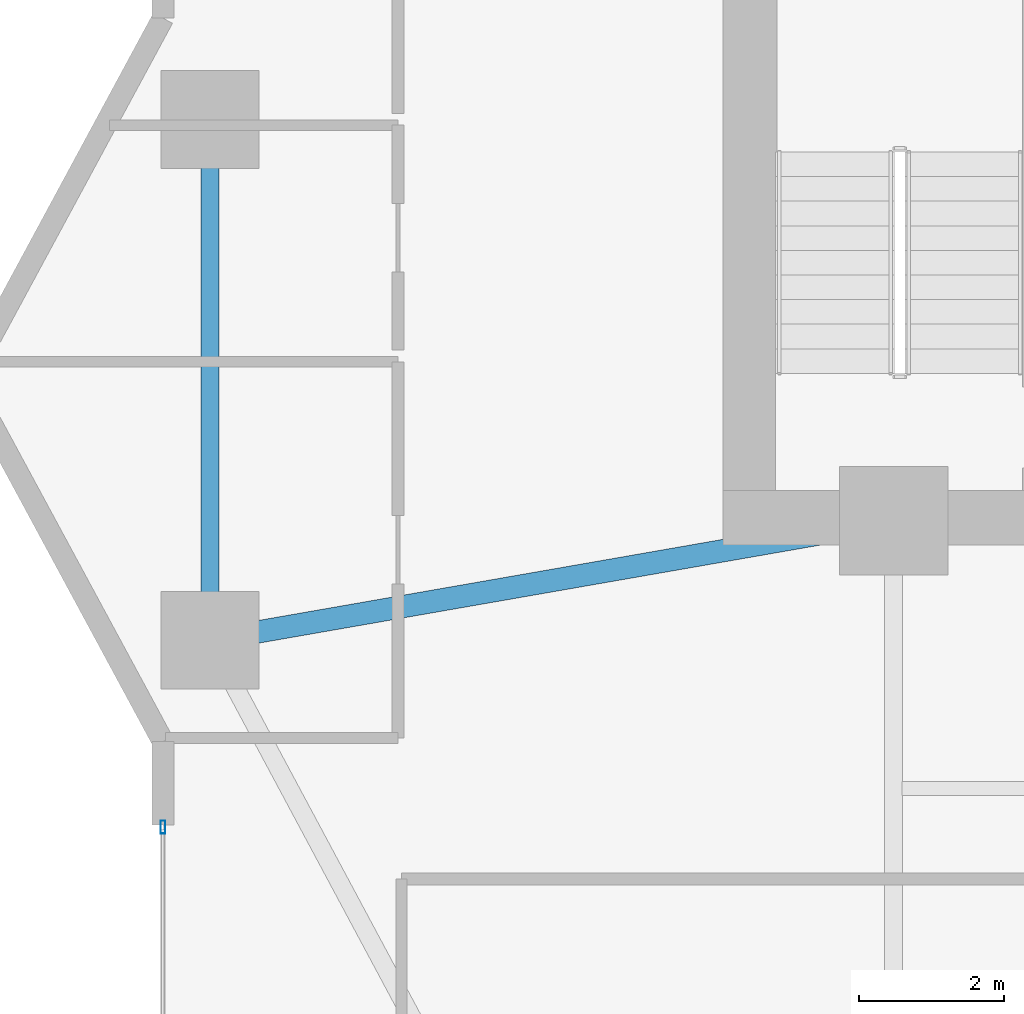
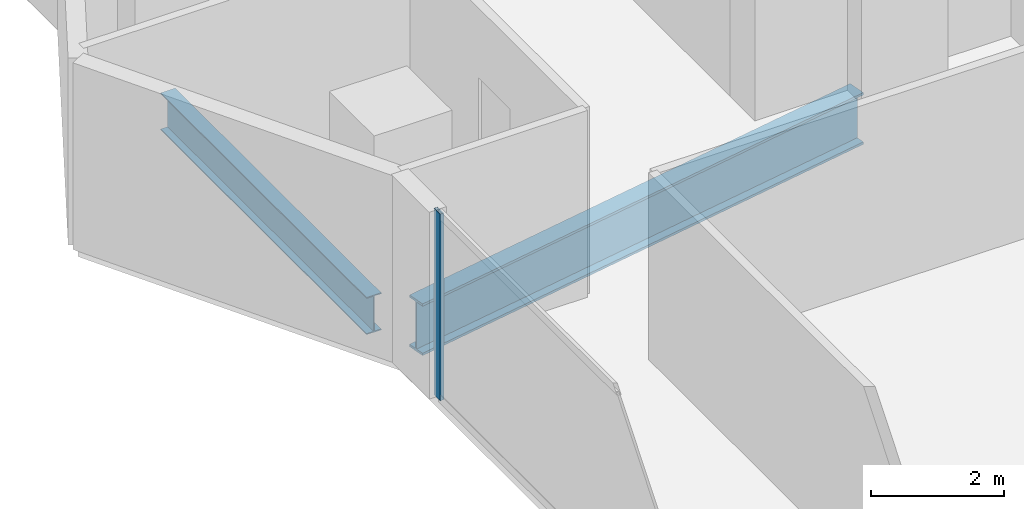
# One storey, part 7 of 28: 2 beams, 1 member, 1 element without a shape of its own.
"""IFC4 building model written with IfcOpenShell, lengths in metres."""

import ifcopenshell
import ifcopenshell.guid

model = None  # the IFC model being written
_history = None  # IfcOwnerHistory: only IFC2X3 demands one
_inside = {}  # id of a spatial element -> (the spatial element, [elements in it])
_under = {}  # id of a project, library or spatial element -> (it, [spatial elements below it])
_declared = {}  # id of a project -> (the project, [libraries it declares])
_typed = {}  # id of a type object -> (the type object, [elements of that type])
_made_of = {}  # id of a material, layer set ... -> (it, [elements and type objects made of it])


def new_model(schema):
    """Start an empty IFC model of exactly this schema.

    Asked for "IFC4X3", IfcOpenShell would pick the latest addendum, in which some entities
    have other attributes; the version numbers below select the first issue.
    IFC2X3 requires an IfcOwnerHistory on every rooted entity: one is made here for all.
    """
    global model, _history
    if schema == "IFC4X3":
        model = ifcopenshell.file(schema_version=(4, 3, 0, 0))
    else:
        model = ifcopenshell.file(schema=schema)
    _inside.clear()
    _under.clear()
    _declared.clear()
    _typed.clear()
    _made_of.clear()
    _history = None
    if model.schema == "IFC2X3":
        org = make("IfcOrganization", Name="unknown")
        user = make(
            "IfcPersonAndOrganization",
            ThePerson=make("IfcPerson", FamilyName="unknown"),
            TheOrganization=org,
        )
        app = make(
            "IfcApplication",
            ApplicationDeveloper=org,
            Version="unknown",
            ApplicationFullName="unknown",
            ApplicationIdentifier="unknown",
        )
        _history = make(
            "IfcOwnerHistory",
            OwningUser=user,
            OwningApplication=app,
            ChangeAction="ADDED",
            CreationDate=0,
        )
    return model


def make(cls, **values):
    """One entity of the class cls with the attributes given. An attribute that is None is left unset."""
    return model.create_entity(
        cls, **{name: value for name, value in values.items() if value is not None}
    )


def rooted(cls, **values):
    """An entity with a GlobalId (a new one), such as an element, a storey or a relation."""
    return make(cls, GlobalId=ifcopenshell.guid.new(), OwnerHistory=_history, **values)


def si_unit(unit_type, name, prefix=None):
    """IfcSIUnit, for example si_unit("LENGTHUNIT", "METRE", prefix="MILLI")."""
    return make("IfcSIUnit", UnitType=unit_type, Prefix=prefix, Name=name)


def assignment(units):
    """IfcUnitAssignment: the units of a project."""
    return None if units is None else make("IfcUnitAssignment", Units=units)


def point(xyz):
    """IfcCartesianPoint."""
    return None if xyz is None else make("IfcCartesianPoint", Coordinates=xyz)


def direction(xyz):
    """IfcDirection."""
    return None if xyz is None else make("IfcDirection", DirectionRatios=xyz)


def frame(location, z_axis=None, x_axis=None):
    """IfcAxis2Placement3D, a coordinate frame: its origin and axes. An axis left out is left unset."""
    return make(
        "IfcAxis2Placement3D",
        Location=point(location),
        Axis=direction(z_axis),
        RefDirection=direction(x_axis),
    )


def frame_2d(location, x_axis=None):
    """IfcAxis2Placement2D, a coordinate frame in the plane: its origin and x axis."""
    return make(
        "IfcAxis2Placement2D", Location=point(location), RefDirection=direction(x_axis)
    )


def origin():
    """The frame at (0, 0, 0) with its axes left unset."""
    return frame((0.0, 0.0, 0.0))


def origin_2d():
    """The frame at (0, 0) in the plane with its x axis left unset."""
    return frame_2d((0.0, 0.0))


def place(relative_to, where):
    """IfcLocalPlacement: puts the frame where relative to a parent placement (None: the world)."""
    return make(
        "IfcLocalPlacement", PlacementRelTo=relative_to, RelativePlacement=where
    )


def context(
    kind, dimensions, precision=None, world=None, true_north=None, identifier=None
):
    """IfcGeometricRepresentationContext, for example the 3D "Model" context."""
    return make(
        "IfcGeometricRepresentationContext",
        ContextIdentifier=identifier,
        ContextType=kind,
        CoordinateSpaceDimension=dimensions,
        Precision=precision,
        WorldCoordinateSystem=world,
        TrueNorth=true_north,
    )


def subcontext(parent, identifier, kind, view, scale=None):
    """IfcGeometricRepresentationSubContext, for example "Body" below "Model"."""
    return make(
        "IfcGeometricRepresentationSubContext",
        ContextIdentifier=identifier,
        ContextType=kind,
        ParentContext=parent,
        TargetScale=scale,
        TargetView=view,
    )


def project(units=None, contexts=None):
    """IfcProject with its units and contexts."""
    return rooted(
        "IfcProject",
        Name="project",
        RepresentationContexts=contexts,
        UnitsInContext=assignment(units),
    )


def spatial(cls, under=None, at=None, **own):
    """A site, building, storey or space (cls), placed at a placement, below another one or the project."""
    s = rooted(cls, ObjectPlacement=at, **own)
    if under is not None:
        _under.setdefault(under.id(), (under, []))[1].append(s)
    return s


def profile(cls, at=None, kind="AREA", **sizes):
    """A parametric profile (cls). Its sizes go by their IFC names, for example OverallWidth=200.0."""
    return make(cls, ProfileType=kind, Position=at, **sizes)


def hollow_rectangle(**sizes):
    """IfcRectangleHollowProfileDef."""
    return profile("IfcRectangleHollowProfileDef", **sizes)


def i_section(**sizes):
    """IfcIShapeProfileDef."""
    return profile("IfcIShapeProfileDef", **sizes)


def extrude(swept, where, along, depth):
    """IfcExtrudedAreaSolid: the profile swept, set in the frame where, extruded along a direction by depth."""
    return make(
        "IfcExtrudedAreaSolid",
        SweptArea=swept,
        Position=where,
        ExtrudedDirection=direction(along),
        Depth=depth,
    )


def shape(context_of_items, identifier, shape_type, items):
    """IfcShapeRepresentation: the items that make up one representation, for example the "Body"."""
    return make(
        "IfcShapeRepresentation",
        ContextOfItems=context_of_items,
        RepresentationIdentifier=identifier,
        RepresentationType=shape_type,
        Items=items,
    )


def material(Name=None, Category=None):
    """IfcMaterial."""
    return make("IfcMaterial", Name=Name, Category=Category)


def layer(
    of_material, thickness, ventilated=None, Name=None, Category=None, Priority=None
):
    """IfcMaterialLayer: one layer of a wall or slab, of a material (None: an air gap)."""
    return make(
        "IfcMaterialLayer",
        Material=of_material,
        LayerThickness=thickness,
        IsVentilated=ventilated,
        Name=Name,
        Category=Category,
        Priority=Priority,
    )


def layer_set(layers, Name=None):
    """IfcMaterialLayerSet."""
    return make("IfcMaterialLayerSet", MaterialLayers=layers, LayerSetName=Name)


def material_profile(
    of_material, cross_section, Name=None, Category=None, Priority=None
):
    """IfcMaterialProfile: a cross section and its material."""
    return make(
        "IfcMaterialProfile",
        Name=Name,
        Material=of_material,
        Profile=cross_section,
        Priority=Priority,
        Category=Category,
    )


def profile_set(profiles, Name=None, composite=None):
    """IfcMaterialProfileSet."""
    return make(
        "IfcMaterialProfileSet",
        Name=Name,
        MaterialProfiles=profiles,
        CompositeProfile=composite,
    )


def made_of(thing, what):
    """Note that an element or type object is made of a material, layer set ...; save() writes the relation."""
    if what is not None:
        _made_of.setdefault(what.id(), (what, []))[1].append(thing)
    return thing


def type_object(cls, material=None, **own):
    """A type object (cls), such as IfcWallType, which elements share."""
    return made_of(rooted(cls, **own), material)


def element(
    cls,
    number,
    at=None,
    inside=None,
    cuts=None,
    type_object=None,
    material=None,
    context=None,
    identifier="Body",
    shape_type=None,
    held_by="IfcProductDefinitionShape",
    body=None,
    shapes=None,
    **own,
):
    """One element of the class cls, such as IfcWall. Its Tag is "e" and its number.

    at: its placement. inside: the storey or other place that contains it. cuts: it is an
    opening in that element (IfcRelVoidsElement). A single representation is given by context,
    identifier, shape_type and body (its items); several are given by shapes. held_by: the class
    of the entity that holds the representations. save() writes the other relations.
    """
    e = rooted(cls, Tag="e%d" % number, ObjectPlacement=at, **own)
    if body is not None:
        shapes = [shape(context, identifier, shape_type, body)]
    if shapes is not None:
        e.Representation = make(held_by, Representations=shapes)
    if inside is not None:
        _inside.setdefault(inside.id(), (inside, []))[1].append(e)
    if cuts is not None:
        rooted(
            "IfcRelVoidsElement", RelatingBuildingElement=cuts, RelatedOpeningElement=e
        )
    if type_object is not None:
        _typed.setdefault(type_object.id(), (type_object, []))[1].append(e)
    return made_of(e, material)


def aggregate(whole, parts):
    """IfcRelAggregates: a whole, such as a stair, and the parts it consists of."""
    return rooted("IfcRelAggregates", RelatingObject=whole, RelatedObjects=parts)


def save(model, path):
    """Write the relations noted so far, then the file.

    IfcRelAggregates (storeys below a building ...), IfcRelContainedInSpatialStructure (elements
    in a storey), IfcRelDefinesByType, IfcRelAssociatesMaterial and IfcRelDeclares: one each for
    every whole, place, type object, material and project.
    """
    for whole, parts in _under.values():
        aggregate(whole, parts)
    for where, things in _inside.values():
        rooted(
            "IfcRelContainedInSpatialStructure",
            RelatedElements=things,
            RelatingStructure=where,
        )
    for kind, things in _typed.values():
        rooted("IfcRelDefinesByType", RelatedObjects=things, RelatingType=kind)
    for what, things in _made_of.values():
        rooted("IfcRelAssociatesMaterial", RelatedObjects=things, RelatingMaterial=what)
    for by, libraries in _declared.values():
        rooted("IfcRelDeclares", RelatingContext=by, RelatedDefinitions=libraries)
    model.write(path)


model = new_model("IFC4")

# Units and contexts
model_context = context("Model", 3, precision=1e-05, world=origin(), true_north=direction((0.0, 1.0)))
body_context = subcontext(model_context, "Body", "Model", "MODEL_VIEW")
ifc_project = project(units=[si_unit("LENGTHUNIT", "METRE"), si_unit("AREAUNIT", "SQUARE_METRE"), si_unit("VOLUMEUNIT", "CUBIC_METRE"), si_unit("PLANEANGLEUNIT", "RADIAN"), si_unit("MASSUNIT", "GRAM", prefix="KILO")], contexts=[model_context])

# Site, building, storey
site_placement = place(None, origin())
site = spatial("IfcSite", under=ifc_project, at=site_placement, CompositionType="ELEMENT")
building_placement = place(site_placement, origin())
building = spatial("IfcBuilding", under=site, at=building_placement, Name="Zuhayl Quay Hotel", CompositionType="ELEMENT")
storey_placement = place(building_placement, frame((0.0, 0.0, 110.25)))
storey = spatial("IfcBuildingStorey", under=building, at=storey_placement, Name="L27", CompositionType="ELEMENT", Elevation=110.25)

# Beams
ifc_material_1 = material(Name="Steel ASTM A992 Grade 50", Category="steel")
ifc_material_profile_1 = material_profile(ifc_material_1, i_section(OverallWidth=0.25390625, OverallDepth=0.68310546875, WebThickness=0.012451171875, FlangeThickness=0.018798828125, at=origin_2d()), Name="W27X94")
ifc_profile_set_1 = profile_set([ifc_material_profile_1], Name="Steel ASTM A992 Grade 50")
beam_type_1 = type_object("IfcBeamType", Name="BM_B2_W27X94", PredefinedType="BEAM", material=ifc_profile_set_1)
beam_1_placement = place(storey_placement, frame((-23.25, 9.60009765625, -0.5615234375), z_axis=(0.0, -1.0, 0.0), x_axis=(1.0, 0.0, 0.0)))
element("IfcBeam", 1, at=beam_1_placement, inside=storey, type_object=beam_type_1, Name="L27 Floor Beam RG_L27_11", PredefinedType="BEAM", context=body_context, shape_type="SweptSolid", body=[
    extrude(i_section(OverallWidth=0.25390625, OverallDepth=0.68310546875, WebThickness=0.012451171875, FlangeThickness=0.018798828125, at=origin_2d()), origin(), (0.0, 0.0, 1.0), 6.2001953125),
])
ifc_material_profile_2 = material_profile(ifc_material_1, i_section(OverallWidth=0.31005859375, OverallDepth=0.949951171875, WebThickness=0.0244140625, FlangeThickness=0.0439453125, at=origin_2d()), Name="W36X256")
ifc_profile_set_2 = profile_set([ifc_material_profile_2], Name="Steel ASTM A992 Grade 50")
beam_type_2 = type_object("IfcBeamType", Name="BM_PG1_W36X256", PredefinedType="BEAM", material=ifc_profile_set_2)
beam_2_placement = place(storey_placement, frame((-22.757568359375, 2.986083984375, -0.695068359375), z_axis=(0.985097302632, 0.171997977741, 0.0), x_axis=(-0.171997977741, 0.985097302632, 0.0)))
element("IfcBeam", 2, at=beam_2_placement, inside=storey, type_object=beam_type_2, Name="L27 Floor Beam FG_W_L27_1", PredefinedType="BEAM", context=body_context, shape_type="SweptSolid", body=[
    extrude(i_section(OverallWidth=0.31005859375, OverallDepth=0.949951171875, WebThickness=0.0244140625, FlangeThickness=0.0439453125, at=origin_2d()), origin(), (0.0, 0.0, 1.0), 8.64306640625),
])

# Curtain wall, member
ifc_material_2 = material(Name="Anodised Aluminium 6063-T6", Category="aluminium")
ifc_layer = layer(ifc_material_2, 0.179931640625, Name="Anodised Aluminium 6063-T6", Category="aluminium")
ifc_layer_set = layer_set([ifc_layer], Name="Anodised Aluminium 6063-T6")
curtain_wall_type = type_object("IfcCurtainWallType", Name="CW_SYS_Z2", PredefinedType="USERDEFINED", material=ifc_layer_set)
curtain_wall_placement = place(storey_placement, origin())
curtain_wall = element("IfcCurtainWall", 3, at=curtain_wall_placement, inside=storey, type_object=curtain_wall_type, Name="L27 Curtain Wall ENV_L27_E02_CW1", ObjectType="UNITISED CURTAIN WALL", PredefinedType="USERDEFINED")
ifc_material_3 = material(Name="Black-anodised aluminium 6063-T6", Category="aluminium")
ifc_material_profile_3 = material_profile(ifc_material_3, hollow_rectangle(XDim=0.06494140625, YDim=0.179931640625, WallThickness=0.00341796875, at=origin_2d()), Name="ALU180X65")
ifc_profile_set_3 = profile_set([ifc_material_profile_3], Name="Black-anodised aluminium 6063-T6")
member_type = type_object("IfcMemberType", Name="MB_CW_MUL_180", PredefinedType="MULLION", material=ifc_profile_set_3)
member_placement = place(storey_placement, frame((-23.89990234375, 0.3173828125, 0.0), z_axis=(0.0, 0.0, 1.0), x_axis=(-1.0, 0.0, 0.0)))
member = element("IfcMember", 4, at=member_placement, type_object=member_type, Name="CW-Z2 mullion 2", PredefinedType="MULLION", context=body_context, shape_type="SweptSolid", body=[
    extrude(hollow_rectangle(XDim=0.06494140625, YDim=0.179931640625, WallThickness=0.00341796875, at=origin_2d()), origin(), (0.0, 0.0, 1.0), 3.429931640625),
])
aggregate(curtain_wall, [member])

save(model, "model.ifc")
